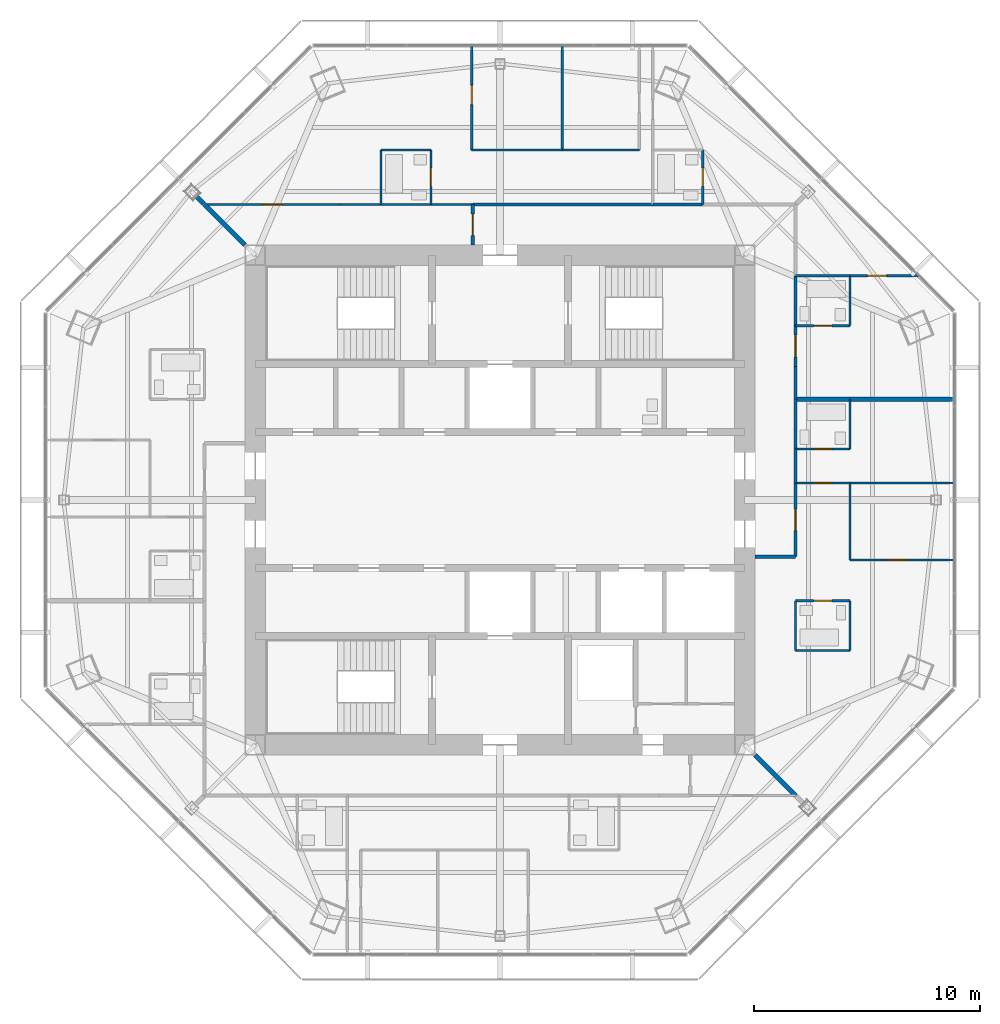
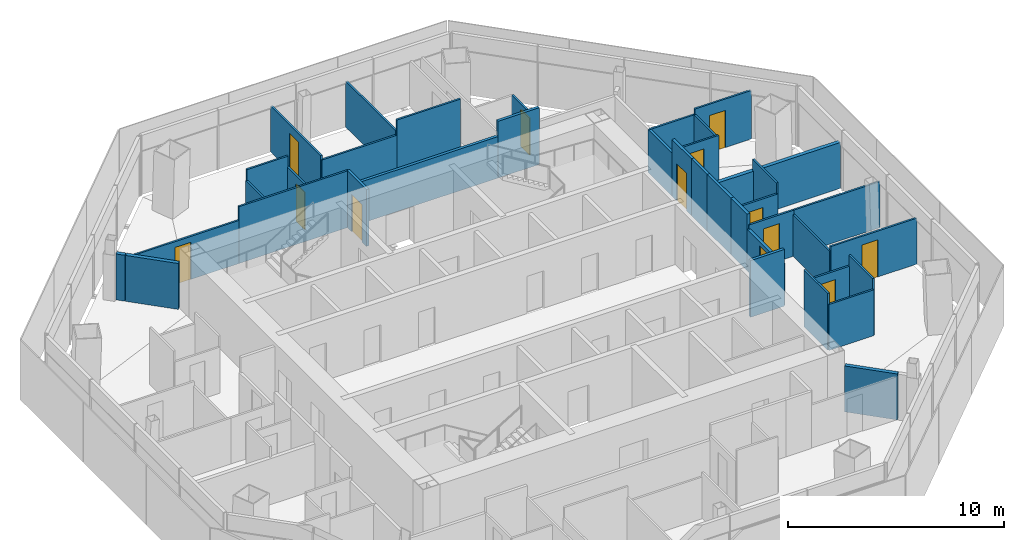
# One storey, part 12 of 15: 38 walls, 13 doors, 13 openings.
"""IFC4 building model written with IfcOpenShell, lengths in metres."""

from ifc_helpers import new_model, si_unit, direction, frame, frame_2d, origin, place, context, subcontext, project, spatial, rectangle, extrude, material, layer, layer_set, type_object, element, fill, save


model = new_model("IFC4")

# Units and contexts
model_context = context("Model", 3, precision=1e-05, world=origin(), true_north=direction((0.0, 1.0)))
body_context = subcontext(model_context, "Body", "Model", "MODEL_VIEW")
ifc_project = project(units=[si_unit("LENGTHUNIT", "METRE"), si_unit("AREAUNIT", "SQUARE_METRE"), si_unit("VOLUMEUNIT", "CUBIC_METRE"), si_unit("PLANEANGLEUNIT", "RADIAN"), si_unit("MASSUNIT", "GRAM", prefix="KILO")], contexts=[model_context])

# Site, building, storey
site_placement = place(None, origin())
site = spatial("IfcSite", under=ifc_project, at=site_placement, CompositionType="ELEMENT")
building_placement = place(site_placement, origin())
building = spatial("IfcBuilding", under=site, at=building_placement, Name="Mashrafa Tower", CompositionType="ELEMENT")
storey_placement = place(building_placement, frame((0.0, 0.0, 281.0)))
storey = spatial("IfcBuildingStorey", under=building, at=storey_placement, Name="L68", CompositionType="ELEMENT", Elevation=281.0)

# Walls
ifc_material_1 = material(Name="Gypsum board on steel studs", Category="steel")
ifc_layer_1 = layer(ifc_material_1, 0.199951171875)
ifc_layer_set_1 = layer_set([ifc_layer_1], Name="Acoustic partition 200 1 hr")
wall_type_1 = type_object("IfcWallType", Name="Acoustic partition 200 1 hr", PredefinedType="PARTITIONING", material=ifc_layer_set_1)
wall_1_placement = place(storey_placement, frame((13.050048828125, 4.449951171875, 0.0), z_axis=(0.0, 0.0, 1.0), x_axis=(1.0, 0.0, 0.0)))
element("IfcWall", 1, at=wall_1_placement, inside=storey, type_object=wall_type_1, Name="Acoustic wall L68-043", PredefinedType="PARTITIONING", context=body_context, shape_type="SweptSolid", body=[
    extrude(rectangle(XDim=6.99755859375, YDim=0.199951171875, at=frame_2d((3.498779296875, 0.0))), origin(), (0.0, 0.0, 1.0), 2.590576171875),
])
wall_2_placement = place(storey_placement, frame((11.26904296875, -11.26904296875, 0.0), z_axis=(0.0, 0.0, 1.0), x_axis=(0.707106781187, -0.707106781187, 0.0)))
element("IfcWall", 2, at=wall_2_placement, inside=storey, type_object=wall_type_1, Name="Acoustic wall L68-047", PredefinedType="PARTITIONING", context=body_context, shape_type="SweptSolid", body=[
    extrude(rectangle(XDim=2.52001953125, YDim=0.199951171875, at=frame_2d((1.260009765625, 0.0))), origin(), (0.0, 0.0, 1.0), 2.590576171875),
])
wall_3_placement = place(storey_placement, frame((-13.382080078125, 13.382080078125, 0.0), z_axis=(0.0, 0.0, 1.0), x_axis=(0.707106781187, -0.707106781187, 0.0)))
element("IfcWall", 3, at=wall_3_placement, inside=storey, type_object=wall_type_1, Name="Acoustic wall L68-064", PredefinedType="PARTITIONING", context=body_context, shape_type="SweptSolid", body=[
    extrude(rectangle(XDim=0.43359375, YDim=0.199951171875, at=frame_2d((0.216796875, 0.0))), origin(), (0.0, 0.0, 1.0), 2.590576171875),
])
wall_4_placement = place(storey_placement, frame((-11.26904296875, 11.26904296875, 0.0), z_axis=(0.0, 0.0, 1.0), x_axis=(-0.707106781187, 0.707106781187, 0.0)))
element("IfcWall", 4, at=wall_4_placement, inside=storey, type_object=wall_type_1, Name="Acoustic wall L68-079", PredefinedType="PARTITIONING", context=body_context, shape_type="SweptSolid", body=[
    extrude(rectangle(XDim=2.52001953125, YDim=0.199951171875, at=frame_2d((1.260009765625, 0.0))), origin(), (0.0, 0.0, 1.0), 2.590576171875),
])
ifc_material_2 = material(Name="Gypsum board on steel studs", Category="steel")
ifc_layer_2 = layer(ifc_material_2, 0.14990234375)
ifc_layer_set_2 = layer_set([ifc_layer_2], Name="Corridor partition 150 1 hr")
wall_type_2 = type_object("IfcWallType", Name="Corridor partition 150 1 hr", PredefinedType="PARTITIONING", material=ifc_layer_set_2)
wall_5_placement = place(storey_placement, frame((13.050048828125, 2.2490234375, 0.0), z_axis=(0.0, 0.0, 1.0), x_axis=(0.0, 1.0, 0.0)))
element("IfcWall", 5, at=wall_5_placement, inside=storey, type_object=wall_type_2, Name="Corridor wall L68-001", PredefinedType="PARTITIONING", context=body_context, shape_type="SweptSolid", body=[
    extrude(rectangle(XDim=2.201904296875, YDim=0.14990234375, at=frame_2d((1.10107421875, 0.0))), origin(), (0.0, 0.0, 1.0), 3.199951171875),
])
wall_6_placement = place(storey_placement, frame((13.050048828125, 0.7490234375, 0.0), z_axis=(0.0, 0.0, 1.0), x_axis=(0.0, 1.0, 0.0)))
element("IfcWall", 6, at=wall_6_placement, inside=storey, type_object=wall_type_2, Name="Corridor wall L68-002", PredefinedType="PARTITIONING", context=body_context, shape_type="SweptSolid", body=[
    extrude(rectangle(XDim=1.501953125, YDim=0.14990234375, at=frame_2d((0.7509765625, 0.0))), origin(), (0.0, 0.0, 1.0), 3.199951171875),
])
wall_7_placement = place(storey_placement, frame((11.25, -2.5, 0.0), z_axis=(0.0, 0.0, 1.0), x_axis=(1.0, 0.0, 0.0)))
element("IfcWall", 7, at=wall_7_placement, inside=storey, type_object=wall_type_2, Name="Corridor wall L68-003", PredefinedType="PARTITIONING", context=body_context, shape_type="SweptSolid", body=[
    extrude(rectangle(XDim=1.800048828125, YDim=0.14990234375, at=frame_2d((0.89990234375, 0.0))), origin(), (0.0, 0.0, 1.0), 3.199951171875),
])

# Wall, opening, door
wall_8_placement = place(storey_placement, frame((13.050048828125, -2.5, 0.0), z_axis=(0.0, 0.0, 1.0), x_axis=(0.0, 1.0, 0.0)))
wall_8 = element("IfcWall", 8, at=wall_8_placement, inside=storey, type_object=wall_type_2, Name="Corridor wall L68-004", PredefinedType="PARTITIONING", context=body_context, shape_type="SweptSolid", body=[
    extrude(rectangle(XDim=3.2509765625, YDim=0.14990234375, at=frame_2d((1.62548828125, 0.0))), origin(), (0.0, 0.0, 1.0), 2.34423828125),
])
opening_1_placement = place(wall_8_placement, frame((1.150390625, 0.0, 0.0)))
opening_1 = element("IfcOpeningElement", 9, at=opening_1_placement, cuts=wall_8, Name="Opening 68.007", PredefinedType="OPENING", context=body_context, shape_type="SweptSolid", body=[
    extrude(rectangle(XDim=0.949951171875, YDim=2.10009765625, at=frame_2d((0.47509765625, 1.050048828125))), frame((0.0, 0.0849609375, 0.0), z_axis=(0.0, -1.0, 0.0), x_axis=(1.0, 0.0, 0.0)), (0.0, 0.0, 1.0), 0.169921875),
])
ifc_material_3 = material(Name="Steel door", Category="steel")
door_type_1 = type_object("IfcDoorType", Name="Residence entrance door 950 x 2100 20 min", OperationType="USERDEFINED", PredefinedType="DOOR", material=ifc_material_3)
door_1_placement = place(opening_1_placement, frame((0.949951171875, 0.0, 0.0), z_axis=(0.0, 0.0, 1.0), x_axis=(-1.0, 0.0, 0.0)))
door_1 = element("IfcDoor", 10, at=door_1_placement, inside=storey, type_object=door_type_1, Name="Apartment 6801 Living Room door", OperationType="SINGLE_SWING_LEFT", OverallHeight=2.10009765625, OverallWidth=0.949951171875, PredefinedType="DOOR", context=body_context, shape_type="SweptSolid", body=[
    extrude(rectangle(XDim=0.949951171875, YDim=2.10009765625, at=frame_2d((0.47509765625, 1.050048828125))), frame((0.0, 0.02490234375, 0.0), z_axis=(0.0, -1.0, 0.0), x_axis=(1.0, 0.0, 0.0)), (0.0, 0.0, 1.0), 0.050048828125),
])
fill(opening_1, door_1)

# Walls
wall_9_placement = place(storey_placement, frame((13.050048828125, 7.698974609375, 0.0), z_axis=(0.0, 0.0, 1.0), x_axis=(0.0, 1.0, 0.0)))
element("IfcWall", 11, at=wall_9_placement, inside=storey, type_object=wall_type_2, Name="Corridor wall L68-006", PredefinedType="PARTITIONING", context=body_context, shape_type="SweptSolid", body=[
    extrude(rectangle(XDim=2.201904296875, YDim=0.14990234375, at=frame_2d((1.10107421875, 0.0))), origin(), (0.0, 0.0, 1.0), 2.427978515625),
])
wall_10_placement = place(storey_placement, frame((13.050048828125, 4.448974609375, 0.0), z_axis=(0.0, 0.0, 1.0), x_axis=(0.0, 1.0, 0.0)))
element("IfcWall", 12, at=wall_10_placement, inside=storey, type_object=wall_type_2, Name="Corridor wall L68-007", PredefinedType="PARTITIONING", context=body_context, shape_type="SweptSolid", body=[
    extrude(rectangle(XDim=1.451904296875, YDim=0.14990234375, at=frame_2d((0.72607421875, 0.0))), origin(), (0.0, 0.0, 1.0), 3.199951171875),
])

# Wall, opening, door
wall_11_placement = place(storey_placement, frame((13.050048828125, 5.89892578125, 0.0), z_axis=(0.0, 0.0, 1.0), x_axis=(0.0, 1.0, 0.0)))
wall_11 = element("IfcWall", 13, at=wall_11_placement, inside=storey, type_object=wall_type_2, Name="Corridor wall L68-008", PredefinedType="PARTITIONING", context=body_context, shape_type="SweptSolid", body=[
    extrude(rectangle(XDim=1.802001953125, YDim=0.14990234375, at=frame_2d((0.90087890625, 0.0))), origin(), (0.0, 0.0, 1.0), 3.199951171875),
])
opening_2_placement = place(wall_11_placement, frame((0.426025390625, 0.0, 0.0)))
opening_2 = element("IfcOpeningElement", 14, at=opening_2_placement, cuts=wall_11, Name="Opening 68.010", PredefinedType="OPENING", context=body_context, shape_type="SweptSolid", body=[
    extrude(rectangle(XDim=0.949951171875, YDim=2.10009765625, at=frame_2d((0.47509765625, 1.050048828125))), frame((0.0, 0.0849609375, 0.0), z_axis=(0.0, -1.0, 0.0), x_axis=(1.0, 0.0, 0.0)), (0.0, 0.0, 1.0), 0.169921875),
])
door_2_placement = place(opening_2_placement, frame((0.949951171875, 0.0, 0.0), z_axis=(0.0, 0.0, 1.0), x_axis=(-1.0, 0.0, 0.0)))
door_2 = element("IfcDoor", 15, at=door_2_placement, inside=storey, type_object=door_type_1, Name="Apartment 6802 Living Room door", OperationType="SINGLE_SWING_RIGHT", OverallHeight=2.10009765625, OverallWidth=0.949951171875, PredefinedType="DOOR", context=body_context, shape_type="SweptSolid", body=[
    extrude(rectangle(XDim=0.949951171875, YDim=2.10009765625, at=frame_2d((0.47509765625, 1.050048828125))), frame((0.0, 0.02490234375, 0.0), z_axis=(0.0, -1.0, 0.0), x_axis=(1.0, 0.0, 0.0)), (0.0, 0.0, 1.0), 0.050048828125),
])
fill(opening_2, door_2)

# Walls
wall_12_placement = place(storey_placement, frame((8.950927734375, 13.050048828125, 0.0), z_axis=(0.0, 0.0, 1.0), x_axis=(-1.0, 0.0, 0.0)))
element("IfcWall", 16, at=wall_12_placement, inside=storey, type_object=wall_type_2, Name="Corridor wall L68-009", PredefinedType="PARTITIONING", context=body_context, shape_type="SweptSolid", body=[
    extrude(rectangle(XDim=2.201904296875, YDim=0.14990234375, at=frame_2d((1.10107421875, 0.0))), origin(), (0.0, 0.0, 1.0), 3.199951171875),
])
wall_13_placement = place(storey_placement, frame((6.7509765625, 13.050048828125, 0.0), z_axis=(0.0, 0.0, 1.0), x_axis=(-1.0, 0.0, 0.0)))
element("IfcWall", 17, at=wall_13_placement, inside=storey, type_object=wall_type_2, Name="Corridor wall L68-011", PredefinedType="PARTITIONING", context=body_context, shape_type="SweptSolid", body=[
    extrude(rectangle(XDim=7.950927734375, YDim=0.14990234375, at=frame_2d((3.9755859375, 0.0))), origin(), (0.0, 0.0, 1.0), 2.34423828125),
])

# Wall, opening, door
wall_14_placement = place(storey_placement, frame((-1.199951171875, 13.050048828125, 0.0), z_axis=(0.0, 0.0, 1.0), x_axis=(0.0, -1.0, 0.0)))
wall_14 = element("IfcWall", 18, at=wall_14_placement, inside=storey, type_object=wall_type_2, Name="Corridor wall L68-012", PredefinedType="PARTITIONING", context=body_context, shape_type="SweptSolid", body=[
    extrude(rectangle(XDim=1.800048828125, YDim=0.14990234375, at=frame_2d((0.89990234375, 0.0))), origin(), (0.0, 0.0, 1.0), 3.199951171875),
])
opening_3_placement = place(wall_14_placement, frame((0.425048828125, 0.0, 0.0)))
opening_3 = element("IfcOpeningElement", 19, at=opening_3_placement, cuts=wall_14, Name="Opening 68.030", PredefinedType="OPENING", context=body_context, shape_type="SweptSolid", body=[
    extrude(rectangle(XDim=0.949951171875, YDim=2.10009765625, at=frame_2d((0.47509765625, 1.050048828125))), frame((0.0, 0.0849609375, 0.0), z_axis=(0.0, -1.0, 0.0), x_axis=(1.0, 0.0, 0.0)), (0.0, 0.0, 1.0), 0.169921875),
])
door_3_placement = place(opening_3_placement, origin())
door_3 = element("IfcDoor", 20, at=door_3_placement, inside=storey, type_object=door_type_1, Name="Apartment 6803 Entrance Hall door", OperationType="SINGLE_SWING_LEFT", OverallHeight=2.10009765625, OverallWidth=0.949951171875, PredefinedType="DOOR", context=body_context, shape_type="SweptSolid", body=[
    extrude(rectangle(XDim=0.949951171875, YDim=2.10009765625, at=frame_2d((0.47509765625, 1.050048828125))), frame((0.0, 0.02490234375, 0.0), z_axis=(0.0, -1.0, 0.0), x_axis=(1.0, 0.0, 0.0)), (0.0, 0.0, 1.0), 0.050048828125),
])
fill(opening_3, door_3)

# Walls
ifc_material_4 = material(Name="Gypsum board on steel studs", Category="steel")
ifc_layer_3 = layer(ifc_material_4, 0.10009765625)
ifc_layer_set_3 = layer_set([ifc_layer_3], Name="Partition 100")
wall_type_3 = type_object("IfcWallType", Name="Partition 100", PredefinedType="PARTITIONING", material=ifc_layer_set_3)
wall_15_placement = place(storey_placement, frame((2.75, 20.047607421875, 0.0), z_axis=(0.0, 0.0, 1.0), x_axis=(0.0, -1.0, 0.0)))
element("IfcWall", 21, at=wall_15_placement, inside=storey, type_object=wall_type_3, Name="Partition wall L68-028", PredefinedType="PARTITIONING", context=body_context, shape_type="SweptSolid", body=[
    extrude(rectangle(XDim=4.59765625, YDim=0.10009765625, at=frame_2d((2.298828125, 0.0))), origin(), (0.0, 0.0, 1.0), 2.590576171875),
])
wall_16_placement = place(storey_placement, frame((2.75, 15.449951171875, 0.0), z_axis=(0.0, 0.0, 1.0), x_axis=(1.0, 0.0, 0.0)))
element("IfcWall", 22, at=wall_16_placement, inside=storey, type_object=wall_type_3, Name="Partition wall L68-029", PredefinedType="PARTITIONING", context=body_context, shape_type="SweptSolid", body=[
    extrude(rectangle(XDim=3.39990234375, YDim=0.10009765625, at=frame_2d((1.699951171875, 0.0))), origin(), (0.0, 0.0, 1.0), 3.199951171875),
])
wall_17_placement = place(storey_placement, frame((15.449951171875, -6.64990234375, 0.0), z_axis=(0.0, 0.0, 1.0), x_axis=(-1.0, 0.0, 0.0)))
element("IfcWall", 23, at=wall_17_placement, inside=storey, type_object=wall_type_3, Name="Partition wall L68-034", PredefinedType="PARTITIONING", context=body_context, shape_type="SweptSolid", body=[
    extrude(rectangle(XDim=2.39990234375, YDim=0.10009765625, at=frame_2d((1.199951171875, 0.0))), origin(), (0.0, 0.0, 1.0), 2.590576171875),
])
wall_18_placement = place(storey_placement, frame((15.449951171875, -6.64990234375, 0.0), z_axis=(0.0, 0.0, 1.0), x_axis=(0.0, 1.0, 0.0)))
element("IfcWall", 24, at=wall_18_placement, inside=storey, type_object=wall_type_3, Name="Partition wall L68-035", PredefinedType="PARTITIONING", context=body_context, shape_type="SweptSolid", body=[
    extrude(rectangle(XDim=2.199951171875, YDim=0.10009765625, at=frame_2d((1.10009765625, 0.0))), origin(), (0.0, 0.0, 1.0), 3.199951171875),
])

# Wall, opening, door
wall_19_placement = place(storey_placement, frame((15.449951171875, -4.449951171875, 0.0), z_axis=(0.0, 0.0, 1.0), x_axis=(-1.0, 0.0, 0.0)))
wall_19 = element("IfcWall", 25, at=wall_19_placement, inside=storey, type_object=wall_type_3, Name="Partition wall L68-036", PredefinedType="PARTITIONING", context=body_context, shape_type="SweptSolid", body=[
    extrude(rectangle(XDim=2.39990234375, YDim=0.10009765625, at=frame_2d((1.199951171875, 0.0))), origin(), (0.0, 0.0, 1.0), 2.590576171875),
])
opening_4_placement = place(wall_19_placement, frame((0.800048828125, 0.0, 0.0)))
opening_4 = element("IfcOpeningElement", 26, at=opening_4_placement, cuts=wall_19, Name="Opening 68.003", PredefinedType="OPENING", context=body_context, shape_type="SweptSolid", body=[
    extrude(rectangle(XDim=0.800048828125, YDim=2.10009765625, at=frame_2d((0.39990234375, 1.050048828125))), frame((0.0, 0.06005859375, 0.0), z_axis=(0.0, -1.0, 0.0), x_axis=(1.0, 0.0, 0.0)), (0.0, 0.0, 1.0), 0.1201171875),
])
ifc_material_5 = material(Name="Timber door", Category="wood")
door_type_2 = type_object("IfcDoorType", Name="Bathroom door 800 x 2100", OperationType="USERDEFINED", PredefinedType="DOOR", material=ifc_material_5)
door_4_placement = place(opening_4_placement, origin())
door_4 = element("IfcDoor", 27, at=door_4_placement, inside=storey, type_object=door_type_2, Name="Apartment 6801 Bathroom door", OperationType="SINGLE_SWING_RIGHT", OverallHeight=2.10009765625, OverallWidth=0.800048828125, PredefinedType="DOOR", context=body_context, shape_type="SweptSolid", body=[
    extrude(rectangle(XDim=0.800048828125, YDim=2.10009765625, at=frame_2d((0.39990234375, 1.050048828125))), frame((0.0, 0.02490234375, 0.0), z_axis=(0.0, -1.0, 0.0), x_axis=(1.0, 0.0, 0.0)), (0.0, 0.0, 1.0), 0.050048828125),
])
fill(opening_4, door_4)

# Walls
wall_20_placement = place(storey_placement, frame((13.050048828125, -4.449951171875, 0.0), z_axis=(0.0, 0.0, 1.0), x_axis=(0.0, -1.0, 0.0)))
element("IfcWall", 28, at=wall_20_placement, inside=storey, type_object=wall_type_3, Name="Partition wall L68-037", PredefinedType="PARTITIONING", context=body_context, shape_type="SweptSolid", body=[
    extrude(rectangle(XDim=2.199951171875, YDim=0.10009765625, at=frame_2d((1.10009765625, 0.0))), origin(), (0.0, 0.0, 1.0), 3.199951171875),
])
wall_21_placement = place(storey_placement, frame((20.047607421875, 0.75, 0.0), z_axis=(0.0, 0.0, 1.0), x_axis=(-1.0, 0.0, 0.0)))
element("IfcWall", 29, at=wall_21_placement, inside=storey, type_object=wall_type_3, Name="Partition wall L68-038", PredefinedType="PARTITIONING", context=body_context, shape_type="SweptSolid", body=[
    extrude(rectangle(XDim=4.59765625, YDim=0.10009765625, at=frame_2d((2.298828125, 0.0))), origin(), (0.0, 0.0, 1.0), 2.590576171875),
])
wall_22_placement = place(storey_placement, frame((15.449951171875, 0.75, 0.0), z_axis=(0.0, 0.0, 1.0), x_axis=(0.0, -1.0, 0.0)))
element("IfcWall", 30, at=wall_22_placement, inside=storey, type_object=wall_type_3, Name="Partition wall L68-039", PredefinedType="PARTITIONING", context=body_context, shape_type="SweptSolid", body=[
    extrude(rectangle(XDim=3.39990234375, YDim=0.10009765625, at=frame_2d((1.699951171875, 0.0))), origin(), (0.0, 0.0, 1.0), 2.34423828125),
])

# Wall, opening, door
wall_23_placement = place(storey_placement, frame((15.449951171875, -2.64990234375, 0.0), z_axis=(0.0, 0.0, 1.0), x_axis=(1.0, 0.0, 0.0)))
wall_23 = element("IfcWall", 31, at=wall_23_placement, inside=storey, type_object=wall_type_3, Name="Partition wall L68-040", PredefinedType="PARTITIONING", context=body_context, shape_type="SweptSolid", body=[
    extrude(rectangle(XDim=4.599609375, YDim=0.10009765625, at=frame_2d((2.2998046875, 0.0))), origin(), (0.0, 0.0, 1.0), 2.590576171875),
])
opening_5_placement = place(wall_23_placement, frame((1.65771484375, 0.0, 0.0)))
opening_5 = element("IfcOpeningElement", 32, at=opening_5_placement, cuts=wall_23, Name="Opening 68.004", PredefinedType="OPENING", context=body_context, shape_type="SweptSolid", body=[
    extrude(rectangle(XDim=0.85009765625, YDim=2.10009765625, at=frame_2d((0.425048828125, 1.050048828125))), frame((0.0, 0.06005859375, 0.0), z_axis=(0.0, -1.0, 0.0), x_axis=(1.0, 0.0, 0.0)), (0.0, 0.0, 1.0), 0.1201171875),
])
ifc_material_6 = material(Name="Timber door", Category="wood")
door_type_3 = type_object("IfcDoorType", Name="Bedroom door 850 x 2100", OperationType="USERDEFINED", PredefinedType="DOOR", material=ifc_material_6)
door_5_placement = place(opening_5_placement, origin())
door_5 = element("IfcDoor", 33, at=door_5_placement, inside=storey, type_object=door_type_3, Name="Apartment 6801 Bedroom 1 door", OperationType="SINGLE_SWING_LEFT", OverallHeight=2.10009765625, OverallWidth=0.85009765625, PredefinedType="DOOR", context=body_context, shape_type="SweptSolid", body=[
    extrude(rectangle(XDim=0.85009765625, YDim=2.10009765625, at=frame_2d((0.425048828125, 1.050048828125))), frame((0.0, 0.02490234375, 0.0), z_axis=(0.0, -1.0, 0.0), x_axis=(1.0, 0.0, 0.0)), (0.0, 0.0, 1.0), 0.050048828125),
])
fill(opening_5, door_5)

wall_24_placement = place(storey_placement, frame((13.050048828125, 2.25, 0.0), z_axis=(0.0, 0.0, 1.0), x_axis=(1.0, 0.0, 0.0)))
wall_24 = element("IfcWall", 34, at=wall_24_placement, inside=storey, type_object=wall_type_3, Name="Partition wall L68-041", PredefinedType="PARTITIONING", context=body_context, shape_type="SweptSolid", body=[
    extrude(rectangle(XDim=2.39990234375, YDim=0.10009765625, at=frame_2d((1.199951171875, 0.0))), origin(), (0.0, 0.0, 1.0), 2.590576171875),
])
opening_6_placement = place(wall_24_placement, frame((0.800048828125, 0.0, 0.0)))
opening_6 = element("IfcOpeningElement", 35, at=opening_6_placement, cuts=wall_24, Name="Opening 68.005", PredefinedType="OPENING", context=body_context, shape_type="SweptSolid", body=[
    extrude(rectangle(XDim=0.800048828125, YDim=2.10009765625, at=frame_2d((0.39990234375, 1.050048828125))), frame((0.0, 0.06005859375, 0.0), z_axis=(0.0, -1.0, 0.0), x_axis=(1.0, 0.0, 0.0)), (0.0, 0.0, 1.0), 0.1201171875),
])
door_6_placement = place(opening_6_placement, origin())
door_6 = element("IfcDoor", 36, at=door_6_placement, inside=storey, type_object=door_type_2, Name="Apartment 6801 En-suite Bathroom door", OperationType="SINGLE_SWING_RIGHT", OverallHeight=2.10009765625, OverallWidth=0.800048828125, PredefinedType="DOOR", context=body_context, shape_type="SweptSolid", body=[
    extrude(rectangle(XDim=0.800048828125, YDim=2.10009765625, at=frame_2d((0.39990234375, 1.050048828125))), frame((0.0, 0.02490234375, 0.0), z_axis=(0.0, -1.0, 0.0), x_axis=(1.0, 0.0, 0.0)), (0.0, 0.0, 1.0), 0.050048828125),
])
fill(opening_6, door_6)

# Wall
wall_25_placement = place(storey_placement, frame((15.449951171875, 2.25, 0.0), z_axis=(0.0, 0.0, 1.0), x_axis=(0.0, 1.0, 0.0)))
element("IfcWall", 37, at=wall_25_placement, inside=storey, type_object=wall_type_3, Name="Partition wall L68-042", PredefinedType="PARTITIONING", context=body_context, shape_type="SweptSolid", body=[
    extrude(rectangle(XDim=2.199951171875, YDim=0.10009765625, at=frame_2d((1.10009765625, 0.0))), origin(), (0.0, 0.0, 1.0), 3.199951171875),
])

# Wall, opening, door
wall_26_placement = place(storey_placement, frame((13.050048828125, 0.75, 0.0), z_axis=(0.0, 0.0, 1.0), x_axis=(1.0, 0.0, 0.0)))
wall_26 = element("IfcWall", 38, at=wall_26_placement, inside=storey, type_object=wall_type_3, Name="Partition wall L68-044", PredefinedType="PARTITIONING", context=body_context, shape_type="SweptSolid", body=[
    extrude(rectangle(XDim=2.40087890625, YDim=0.10009765625, at=frame_2d((1.200439453125, 0.0))), origin(), (0.0, 0.0, 1.0), 2.590576171875),
])
opening_7_placement = place(wall_26_placement, frame((0.775390625, 0.0, 0.0)))
opening_7 = element("IfcOpeningElement", 39, at=opening_7_placement, cuts=wall_26, Name="Opening 68.006", PredefinedType="OPENING", context=body_context, shape_type="SweptSolid", body=[
    extrude(rectangle(XDim=0.85009765625, YDim=2.10009765625, at=frame_2d((0.425048828125, 1.050048828125))), frame((0.0, 0.06005859375, 0.0), z_axis=(0.0, -1.0, 0.0), x_axis=(1.0, 0.0, 0.0)), (0.0, 0.0, 1.0), 0.1201171875),
])
door_7_placement = place(opening_7_placement, origin())
door_7 = element("IfcDoor", 40, at=door_7_placement, inside=storey, type_object=door_type_3, Name="Apartment 6801 Bedroom 2 door", OperationType="SINGLE_SWING_LEFT", OverallHeight=2.10009765625, OverallWidth=0.85009765625, PredefinedType="DOOR", context=body_context, shape_type="SweptSolid", body=[
    extrude(rectangle(XDim=0.85009765625, YDim=2.10009765625, at=frame_2d((0.425048828125, 1.050048828125))), frame((0.0, 0.02490234375, 0.0), z_axis=(0.0, -1.0, 0.0), x_axis=(1.0, 0.0, 0.0)), (0.0, 0.0, 1.0), 0.050048828125),
])
fill(opening_7, door_7)

# Wall
wall_27_placement = place(storey_placement, frame((13.050048828125, 9.89990234375, 0.0), z_axis=(0.0, 0.0, 1.0), x_axis=(1.0, 0.0, 0.0)))
element("IfcWall", 41, at=wall_27_placement, inside=storey, type_object=wall_type_3, Name="Partition wall L68-048", PredefinedType="PARTITIONING", context=body_context, shape_type="SweptSolid", body=[
    extrude(rectangle(XDim=2.40087890625, YDim=0.10009765625, at=frame_2d((1.200439453125, 0.0))), origin(), (0.0, 0.0, 1.0), 2.427978515625),
])

# Wall, opening, door
wall_28_placement = place(storey_placement, frame((15.448974609375, 9.89990234375, 0.0), z_axis=(0.0, 0.0, 1.0), x_axis=(1.0, 0.0, 0.0)))
wall_28 = element("IfcWall", 42, at=wall_28_placement, inside=storey, type_object=wall_type_3, Name="Partition wall L68-049", PredefinedType="PARTITIONING", context=body_context, shape_type="SweptSolid", body=[
    extrude(rectangle(XDim=3.00634765625, YDim=0.10009765625, at=frame_2d((1.503173828125, 0.0))), origin(), (0.0, 0.0, 1.0), 2.740478515625),
])
opening_8_placement = place(wall_28_placement, frame((0.770751953125, 0.0, 0.0)))
opening_8 = element("IfcOpeningElement", 43, at=opening_8_placement, cuts=wall_28, Name="Opening 68.008", PredefinedType="OPENING", context=body_context, shape_type="SweptSolid", body=[
    extrude(rectangle(XDim=0.85009765625, YDim=2.10009765625, at=frame_2d((0.425048828125, 1.050048828125))), frame((0.0, 0.06005859375, 0.0), z_axis=(0.0, -1.0, 0.0), x_axis=(1.0, 0.0, 0.0)), (0.0, 0.0, 1.0), 0.1201171875),
])
door_8_placement = place(opening_8_placement, origin())
door_8 = element("IfcDoor", 44, at=door_8_placement, inside=storey, type_object=door_type_3, Name="Apartment 6802 Bedroom 1 door", OperationType="SINGLE_SWING_RIGHT", OverallHeight=2.10009765625, OverallWidth=0.85009765625, PredefinedType="DOOR", context=body_context, shape_type="SweptSolid", body=[
    extrude(rectangle(XDim=0.85009765625, YDim=2.10009765625, at=frame_2d((0.425048828125, 1.050048828125))), frame((0.0, 0.02490234375, 0.0), z_axis=(0.0, -1.0, 0.0), x_axis=(1.0, 0.0, 0.0)), (0.0, 0.0, 1.0), 0.050048828125),
])
fill(opening_8, door_8)

wall_29_placement = place(storey_placement, frame((13.050048828125, 7.699951171875, 0.0), z_axis=(0.0, 0.0, 1.0), x_axis=(1.0, 0.0, 0.0)))
wall_29 = element("IfcWall", 45, at=wall_29_placement, inside=storey, type_object=wall_type_3, Name="Partition wall L68-051", PredefinedType="PARTITIONING", context=body_context, shape_type="SweptSolid", body=[
    extrude(rectangle(XDim=2.39990234375, YDim=0.10009765625, at=frame_2d((1.199951171875, 0.0))), origin(), (0.0, 0.0, 1.0), 2.590576171875),
])
opening_9_placement = place(wall_29_placement, frame((0.800048828125, 0.0, 0.0)))
opening_9 = element("IfcOpeningElement", 46, at=opening_9_placement, cuts=wall_29, Name="Opening 68.009", PredefinedType="OPENING", context=body_context, shape_type="SweptSolid", body=[
    extrude(rectangle(XDim=0.800048828125, YDim=2.10009765625, at=frame_2d((0.39990234375, 1.050048828125))), frame((0.0, 0.06005859375, 0.0), z_axis=(0.0, -1.0, 0.0), x_axis=(1.0, 0.0, 0.0)), (0.0, 0.0, 1.0), 0.1201171875),
])
door_9_placement = place(opening_9_placement, origin())
door_9 = element("IfcDoor", 47, at=door_9_placement, inside=storey, type_object=door_type_2, Name="Apartment 6802 Bathroom door", OperationType="SINGLE_SWING_RIGHT", OverallHeight=2.10009765625, OverallWidth=0.800048828125, PredefinedType="DOOR", context=body_context, shape_type="SweptSolid", body=[
    extrude(rectangle(XDim=0.800048828125, YDim=2.10009765625, at=frame_2d((0.39990234375, 1.050048828125))), frame((0.0, 0.02490234375, 0.0), z_axis=(0.0, -1.0, 0.0), x_axis=(1.0, 0.0, 0.0)), (0.0, 0.0, 1.0), 0.050048828125),
])
fill(opening_9, door_9)

# Walls
wall_30_placement = place(storey_placement, frame((15.449951171875, 7.699951171875, 0.0), z_axis=(0.0, 0.0, 1.0), x_axis=(0.0, 1.0, 0.0)))
element("IfcWall", 48, at=wall_30_placement, inside=storey, type_object=wall_type_3, Name="Partition wall L68-052", PredefinedType="PARTITIONING", context=body_context, shape_type="SweptSolid", body=[
    extrude(rectangle(XDim=2.199951171875, YDim=0.10009765625, at=frame_2d((1.10009765625, 0.0))), origin(), (0.0, 0.0, 1.0), 2.427978515625),
])
wall_31_placement = place(storey_placement, frame((-5.25, 13.050048828125, 0.0), z_axis=(0.0, 0.0, 1.0), x_axis=(0.0, 1.0, 0.0)))
element("IfcWall", 49, at=wall_31_placement, inside=storey, type_object=wall_type_3, Name="Partition wall L68-053", PredefinedType="PARTITIONING", context=body_context, shape_type="SweptSolid", body=[
    extrude(rectangle(XDim=2.39990234375, YDim=0.10009765625, at=frame_2d((1.199951171875, 0.0))), origin(), (0.0, 0.0, 1.0), 2.590576171875),
])
wall_32_placement = place(storey_placement, frame((-7.050048828125, 13.050048828125, 0.0), z_axis=(0.0, 0.0, 1.0), x_axis=(1.0, 0.0, 0.0)))
element("IfcWall", 50, at=wall_32_placement, inside=storey, type_object=wall_type_3, Name="Partition wall L68-054", PredefinedType="PARTITIONING", context=body_context, shape_type="SweptSolid", body=[
    extrude(rectangle(XDim=5.85107421875, YDim=0.10009765625, at=frame_2d((2.925537109375, 0.0))), origin(), (0.0, 0.0, 1.0), 3.199951171875),
])

# Wall, opening, door
wall_33_placement = place(storey_placement, frame((-3.050048828125, 13.050048828125, 0.0), z_axis=(0.0, 0.0, 1.0), x_axis=(0.0, 1.0, 0.0)))
wall_33 = element("IfcWall", 51, at=wall_33_placement, inside=storey, type_object=wall_type_3, Name="Partition wall L68-055", PredefinedType="PARTITIONING", context=body_context, shape_type="SweptSolid", body=[
    extrude(rectangle(XDim=2.39990234375, YDim=0.10009765625, at=frame_2d((1.199951171875, 0.0))), origin(), (0.0, 0.0, 1.0), 2.590576171875),
])
opening_10_placement = place(wall_33_placement, frame((0.800048828125, 0.0, 0.0)))
opening_10 = element("IfcOpeningElement", 52, at=opening_10_placement, cuts=wall_33, Name="Opening 68.011", PredefinedType="OPENING", context=body_context, shape_type="SweptSolid", body=[
    extrude(rectangle(XDim=0.800048828125, YDim=2.10009765625, at=frame_2d((0.39990234375, 1.050048828125))), frame((0.0, 0.06005859375, 0.0), z_axis=(0.0, -1.0, 0.0), x_axis=(1.0, 0.0, 0.0)), (0.0, 0.0, 1.0), 0.1201171875),
])
door_10_placement = place(opening_10_placement, origin())
door_10 = element("IfcDoor", 53, at=door_10_placement, inside=storey, type_object=door_type_2, Name="Apartment 6803 Bathroom door", OperationType="SINGLE_SWING_RIGHT", OverallHeight=2.10009765625, OverallWidth=0.800048828125, PredefinedType="DOOR", context=body_context, shape_type="SweptSolid", body=[
    extrude(rectangle(XDim=0.800048828125, YDim=2.10009765625, at=frame_2d((0.39990234375, 1.050048828125))), frame((0.0, 0.02490234375, 0.0), z_axis=(0.0, -1.0, 0.0), x_axis=(1.0, 0.0, 0.0)), (0.0, 0.0, 1.0), 0.050048828125),
])
fill(opening_10, door_10)

# Wall
wall_34_placement = place(storey_placement, frame((-3.050048828125, 15.449951171875, 0.0), z_axis=(0.0, 0.0, 1.0), x_axis=(-1.0, 0.0, 0.0)))
element("IfcWall", 54, at=wall_34_placement, inside=storey, type_object=wall_type_3, Name="Partition wall L68-056", PredefinedType="PARTITIONING", context=body_context, shape_type="SweptSolid", body=[
    extrude(rectangle(XDim=2.199951171875, YDim=0.10009765625, at=frame_2d((1.10009765625, 0.0))), origin(), (0.0, 0.0, 1.0), 3.199951171875),
])

# Wall, opening, door
wall_35_placement = place(storey_placement, frame((-1.25, 20.049560546875, 0.0), z_axis=(0.0, 0.0, 1.0), x_axis=(0.0, -1.0, 0.0)))
wall_35 = element("IfcWall", 55, at=wall_35_placement, inside=storey, type_object=wall_type_3, Name="Partition wall L68-058", PredefinedType="PARTITIONING", context=body_context, shape_type="SweptSolid", body=[
    extrude(rectangle(XDim=4.599609375, YDim=0.10009765625, at=frame_2d((2.2998046875, 0.0))), origin(), (0.0, 0.0, 1.0), 2.590576171875),
])
opening_11_placement = place(wall_35_placement, frame((1.73681640625, 0.0, 0.0)))
opening_11 = element("IfcOpeningElement", 56, at=opening_11_placement, cuts=wall_35, Name="Opening 68.012", PredefinedType="OPENING", context=body_context, shape_type="SweptSolid", body=[
    extrude(rectangle(XDim=0.85009765625, YDim=2.10009765625, at=frame_2d((0.425048828125, 1.050048828125))), frame((0.0, 0.06005859375, 0.0), z_axis=(0.0, -1.0, 0.0), x_axis=(1.0, 0.0, 0.0)), (0.0, 0.0, 1.0), 0.1201171875),
])
door_11_placement = place(opening_11_placement, origin())
door_11 = element("IfcDoor", 57, at=door_11_placement, inside=storey, type_object=door_type_3, Name="Apartment 6803 Bedroom 1 door", OperationType="SINGLE_SWING_LEFT", OverallHeight=2.10009765625, OverallWidth=0.85009765625, PredefinedType="DOOR", context=body_context, shape_type="SweptSolid", body=[
    extrude(rectangle(XDim=0.85009765625, YDim=2.10009765625, at=frame_2d((0.425048828125, 1.050048828125))), frame((0.0, 0.02490234375, 0.0), z_axis=(0.0, -1.0, 0.0), x_axis=(1.0, 0.0, 0.0)), (0.0, 0.0, 1.0), 0.050048828125),
])
fill(opening_11, door_11)

# Wall
wall_36_placement = place(storey_placement, frame((-1.25, 15.449951171875, 0.0), z_axis=(0.0, 0.0, 1.0), x_axis=(1.0, 0.0, 0.0)))
element("IfcWall", 58, at=wall_36_placement, inside=storey, type_object=wall_type_3, Name="Partition wall L68-059", PredefinedType="PARTITIONING", context=body_context, shape_type="SweptSolid", body=[
    extrude(rectangle(XDim=4.0, YDim=0.10009765625, at=frame_2d((2.0, 0.0))), origin(), (0.0, 0.0, 1.0), 2.34423828125),
])

# Wall, opening, door
wall_37_placement = place(storey_placement, frame((8.949951171875, 13.050048828125, 0.0), z_axis=(0.0, 0.0, 1.0), x_axis=(0.0, 1.0, 0.0)))
wall_37 = element("IfcWall", 59, at=wall_37_placement, inside=storey, type_object=wall_type_3, Name="Partition wall L68-060", PredefinedType="PARTITIONING", context=body_context, shape_type="SweptSolid", body=[
    extrude(rectangle(XDim=2.39990234375, YDim=0.10009765625, at=frame_2d((1.199951171875, 0.0))), origin(), (0.0, 0.0, 1.0), 2.427978515625),
])
opening_12_placement = place(wall_37_placement, frame((0.800048828125, 0.0, 0.0)))
opening_12 = element("IfcOpeningElement", 60, at=opening_12_placement, cuts=wall_37, Name="Opening 68.013", PredefinedType="OPENING", context=body_context, shape_type="SweptSolid", body=[
    extrude(rectangle(XDim=0.800048828125, YDim=2.10009765625, at=frame_2d((0.39990234375, 1.050048828125))), frame((0.0, 0.06005859375, 0.0), z_axis=(0.0, -1.0, 0.0), x_axis=(1.0, 0.0, 0.0)), (0.0, 0.0, 1.0), 0.1201171875),
])
door_12_placement = place(opening_12_placement, origin())
door_12 = element("IfcDoor", 61, at=door_12_placement, inside=storey, type_object=door_type_2, Name="Apartment 6803 En-suite Bathroom door", OperationType="SINGLE_SWING_LEFT", OverallHeight=2.10009765625, OverallWidth=0.800048828125, PredefinedType="DOOR", context=body_context, shape_type="SweptSolid", body=[
    extrude(rectangle(XDim=0.800048828125, YDim=2.10009765625, at=frame_2d((0.39990234375, 1.050048828125))), frame((0.0, 0.02490234375, 0.0), z_axis=(0.0, -1.0, 0.0), x_axis=(1.0, 0.0, 0.0)), (0.0, 0.0, 1.0), 0.050048828125),
])
fill(opening_12, door_12)

wall_38_placement = place(storey_placement, frame((-13.050048828125, 13.050048828125, 0.0), z_axis=(0.0, 0.0, 1.0), x_axis=(1.0, 0.0, 0.0)))
wall_38 = element("IfcWall", 62, at=wall_38_placement, inside=storey, type_object=wall_type_3, Name="Partition wall L68-065", PredefinedType="PARTITIONING", context=body_context, shape_type="SweptSolid", body=[
    extrude(rectangle(XDim=6.0, YDim=0.10009765625, at=frame_2d((3.0, 0.0))), origin(), (0.0, 0.0, 1.0), 2.427978515625),
])
opening_13_placement = place(wall_38_placement, frame((2.574951171875, 0.0, 0.0)))
opening_13 = element("IfcOpeningElement", 63, at=opening_13_placement, cuts=wall_38, Name="Opening 68.015", PredefinedType="OPENING", context=body_context, shape_type="SweptSolid", body=[
    extrude(rectangle(XDim=0.85009765625, YDim=2.10009765625, at=frame_2d((0.425048828125, 1.050048828125))), frame((0.0, 0.06005859375, 0.0), z_axis=(0.0, -1.0, 0.0), x_axis=(1.0, 0.0, 0.0)), (0.0, 0.0, 1.0), 0.1201171875),
])
door_13_placement = place(opening_13_placement, origin())
door_13 = element("IfcDoor", 64, at=door_13_placement, inside=storey, type_object=door_type_3, Name="Apartment 6803 Living Room door", OperationType="SINGLE_SWING_LEFT", OverallHeight=2.10009765625, OverallWidth=0.85009765625, PredefinedType="DOOR", context=body_context, shape_type="SweptSolid", body=[
    extrude(rectangle(XDim=0.85009765625, YDim=2.10009765625, at=frame_2d((0.425048828125, 1.050048828125))), frame((0.0, 0.02490234375, 0.0), z_axis=(0.0, -1.0, 0.0), x_axis=(1.0, 0.0, 0.0)), (0.0, 0.0, 1.0), 0.050048828125),
])
fill(opening_13, door_13)

save(model, "model.ifc")
